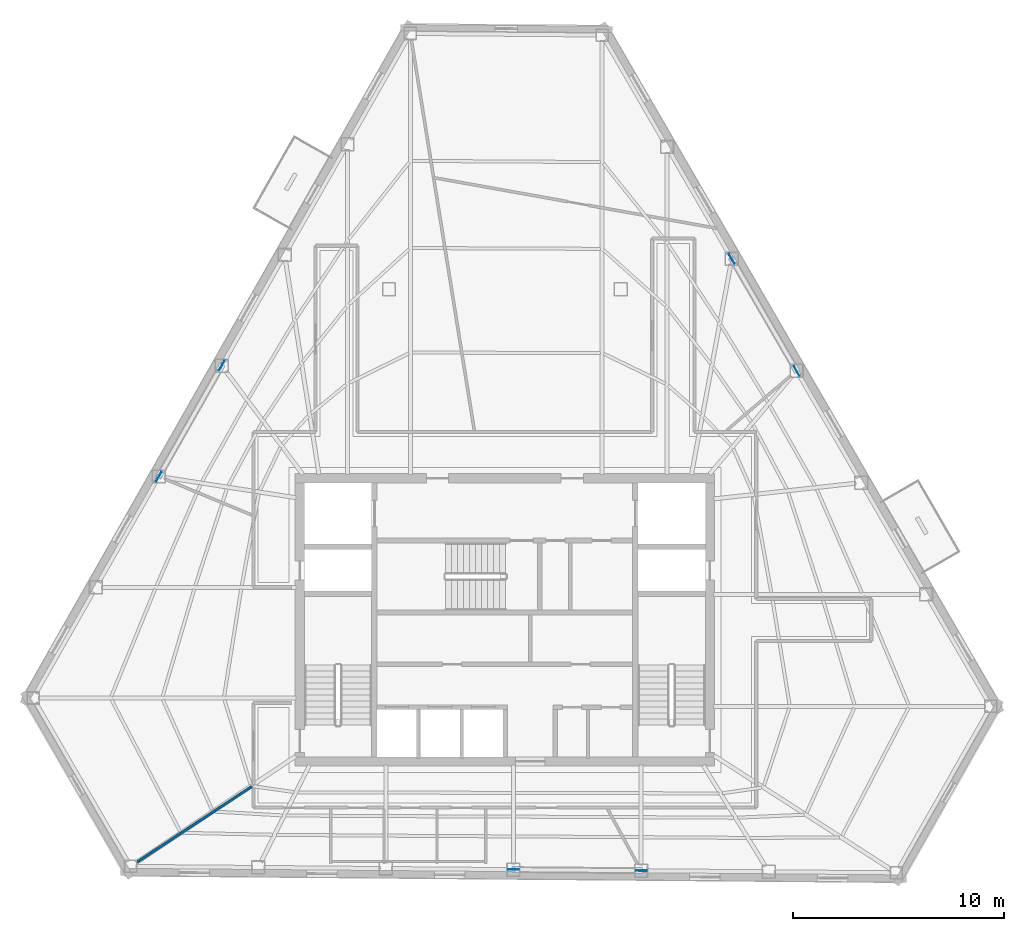
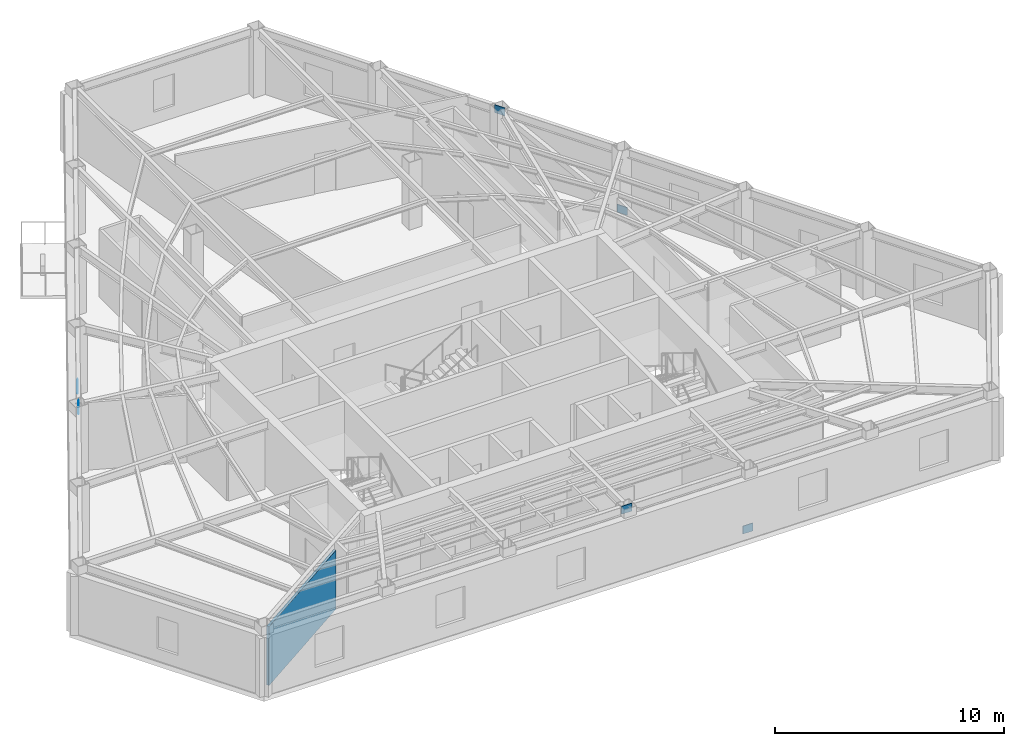
# One storey, part 4 of 9: 6 plates, 1 wall.
"""IFC4 building model written with IfcOpenShell, lengths in metres."""

import ifcopenshell
import ifcopenshell.guid

model = None  # the IFC model being written
_history = None  # IfcOwnerHistory: only IFC2X3 demands one
_inside = {}  # id of a spatial element -> (the spatial element, [elements in it])
_under = {}  # id of a project, library or spatial element -> (it, [spatial elements below it])
_declared = {}  # id of a project -> (the project, [libraries it declares])
_typed = {}  # id of a type object -> (the type object, [elements of that type])
_made_of = {}  # id of a material, layer set ... -> (it, [elements and type objects made of it])


def new_model(schema):
    """Start an empty IFC model of exactly this schema.

    Asked for "IFC4X3", IfcOpenShell would pick the latest addendum, in which some entities
    have other attributes; the version numbers below select the first issue.
    IFC2X3 requires an IfcOwnerHistory on every rooted entity: one is made here for all.
    """
    global model, _history
    if schema == "IFC4X3":
        model = ifcopenshell.file(schema_version=(4, 3, 0, 0))
    else:
        model = ifcopenshell.file(schema=schema)
    _inside.clear()
    _under.clear()
    _declared.clear()
    _typed.clear()
    _made_of.clear()
    _history = None
    if model.schema == "IFC2X3":
        org = make("IfcOrganization", Name="unknown")
        user = make(
            "IfcPersonAndOrganization",
            ThePerson=make("IfcPerson", FamilyName="unknown"),
            TheOrganization=org,
        )
        app = make(
            "IfcApplication",
            ApplicationDeveloper=org,
            Version="unknown",
            ApplicationFullName="unknown",
            ApplicationIdentifier="unknown",
        )
        _history = make(
            "IfcOwnerHistory",
            OwningUser=user,
            OwningApplication=app,
            ChangeAction="ADDED",
            CreationDate=0,
        )
    return model


def make(cls, **values):
    """One entity of the class cls with the attributes given. An attribute that is None is left unset."""
    return model.create_entity(
        cls, **{name: value for name, value in values.items() if value is not None}
    )


def rooted(cls, **values):
    """An entity with a GlobalId (a new one), such as an element, a storey or a relation."""
    return make(cls, GlobalId=ifcopenshell.guid.new(), OwnerHistory=_history, **values)


def si_unit(unit_type, name, prefix=None):
    """IfcSIUnit, for example si_unit("LENGTHUNIT", "METRE", prefix="MILLI")."""
    return make("IfcSIUnit", UnitType=unit_type, Prefix=prefix, Name=name)


def assignment(units):
    """IfcUnitAssignment: the units of a project."""
    return None if units is None else make("IfcUnitAssignment", Units=units)


def point(xyz):
    """IfcCartesianPoint."""
    return None if xyz is None else make("IfcCartesianPoint", Coordinates=xyz)


def direction(xyz):
    """IfcDirection."""
    return None if xyz is None else make("IfcDirection", DirectionRatios=xyz)


def frame(location, z_axis=None, x_axis=None):
    """IfcAxis2Placement3D, a coordinate frame: its origin and axes. An axis left out is left unset."""
    return make(
        "IfcAxis2Placement3D",
        Location=point(location),
        Axis=direction(z_axis),
        RefDirection=direction(x_axis),
    )


def frame_2d(location, x_axis=None):
    """IfcAxis2Placement2D, a coordinate frame in the plane: its origin and x axis."""
    return make(
        "IfcAxis2Placement2D", Location=point(location), RefDirection=direction(x_axis)
    )


def origin():
    """The frame at (0, 0, 0) with its axes left unset."""
    return frame((0.0, 0.0, 0.0))


def origin_2d():
    """The frame at (0, 0) in the plane with its x axis left unset."""
    return frame_2d((0.0, 0.0))


def place(relative_to, where):
    """IfcLocalPlacement: puts the frame where relative to a parent placement (None: the world)."""
    return make(
        "IfcLocalPlacement", PlacementRelTo=relative_to, RelativePlacement=where
    )


def context(
    kind, dimensions, precision=None, world=None, true_north=None, identifier=None
):
    """IfcGeometricRepresentationContext, for example the 3D "Model" context."""
    return make(
        "IfcGeometricRepresentationContext",
        ContextIdentifier=identifier,
        ContextType=kind,
        CoordinateSpaceDimension=dimensions,
        Precision=precision,
        WorldCoordinateSystem=world,
        TrueNorth=true_north,
    )


def subcontext(parent, identifier, kind, view, scale=None):
    """IfcGeometricRepresentationSubContext, for example "Body" below "Model"."""
    return make(
        "IfcGeometricRepresentationSubContext",
        ContextIdentifier=identifier,
        ContextType=kind,
        ParentContext=parent,
        TargetScale=scale,
        TargetView=view,
    )


def project(units=None, contexts=None):
    """IfcProject with its units and contexts."""
    return rooted(
        "IfcProject",
        Name="project",
        RepresentationContexts=contexts,
        UnitsInContext=assignment(units),
    )


def spatial(cls, under=None, at=None, **own):
    """A site, building, storey or space (cls), placed at a placement, below another one or the project."""
    s = rooted(cls, ObjectPlacement=at, **own)
    if under is not None:
        _under.setdefault(under.id(), (under, []))[1].append(s)
    return s


def profile(cls, at=None, kind="AREA", **sizes):
    """A parametric profile (cls). Its sizes go by their IFC names, for example OverallWidth=200.0."""
    return make(cls, ProfileType=kind, Position=at, **sizes)


def rectangle(**sizes):
    """IfcRectangleProfileDef."""
    return profile("IfcRectangleProfileDef", **sizes)


def extrude(swept, where, along, depth):
    """IfcExtrudedAreaSolid: the profile swept, set in the frame where, extruded along a direction by depth."""
    return make(
        "IfcExtrudedAreaSolid",
        SweptArea=swept,
        Position=where,
        ExtrudedDirection=direction(along),
        Depth=depth,
    )


def shape(context_of_items, identifier, shape_type, items):
    """IfcShapeRepresentation: the items that make up one representation, for example the "Body"."""
    return make(
        "IfcShapeRepresentation",
        ContextOfItems=context_of_items,
        RepresentationIdentifier=identifier,
        RepresentationType=shape_type,
        Items=items,
    )


def material(Name=None, Category=None):
    """IfcMaterial."""
    return make("IfcMaterial", Name=Name, Category=Category)


def layer(
    of_material, thickness, ventilated=None, Name=None, Category=None, Priority=None
):
    """IfcMaterialLayer: one layer of a wall or slab, of a material (None: an air gap)."""
    return make(
        "IfcMaterialLayer",
        Material=of_material,
        LayerThickness=thickness,
        IsVentilated=ventilated,
        Name=Name,
        Category=Category,
        Priority=Priority,
    )


def layer_set(layers, Name=None):
    """IfcMaterialLayerSet."""
    return make("IfcMaterialLayerSet", MaterialLayers=layers, LayerSetName=Name)


def made_of(thing, what):
    """Note that an element or type object is made of a material, layer set ...; save() writes the relation."""
    if what is not None:
        _made_of.setdefault(what.id(), (what, []))[1].append(thing)
    return thing


def type_object(cls, material=None, **own):
    """A type object (cls), such as IfcWallType, which elements share."""
    return made_of(rooted(cls, **own), material)


def element(
    cls,
    number,
    at=None,
    inside=None,
    cuts=None,
    type_object=None,
    material=None,
    context=None,
    identifier="Body",
    shape_type=None,
    held_by="IfcProductDefinitionShape",
    body=None,
    shapes=None,
    **own,
):
    """One element of the class cls, such as IfcWall. Its Tag is "e" and its number.

    at: its placement. inside: the storey or other place that contains it. cuts: it is an
    opening in that element (IfcRelVoidsElement). A single representation is given by context,
    identifier, shape_type and body (its items); several are given by shapes. held_by: the class
    of the entity that holds the representations. save() writes the other relations.
    """
    e = rooted(cls, Tag="e%d" % number, ObjectPlacement=at, **own)
    if body is not None:
        shapes = [shape(context, identifier, shape_type, body)]
    if shapes is not None:
        e.Representation = make(held_by, Representations=shapes)
    if inside is not None:
        _inside.setdefault(inside.id(), (inside, []))[1].append(e)
    if cuts is not None:
        rooted(
            "IfcRelVoidsElement", RelatingBuildingElement=cuts, RelatedOpeningElement=e
        )
    if type_object is not None:
        _typed.setdefault(type_object.id(), (type_object, []))[1].append(e)
    return made_of(e, material)


def aggregate(whole, parts):
    """IfcRelAggregates: a whole, such as a stair, and the parts it consists of."""
    return rooted("IfcRelAggregates", RelatingObject=whole, RelatedObjects=parts)


def save(model, path):
    """Write the relations noted so far, then the file.

    IfcRelAggregates (storeys below a building ...), IfcRelContainedInSpatialStructure (elements
    in a storey), IfcRelDefinesByType, IfcRelAssociatesMaterial and IfcRelDeclares: one each for
    every whole, place, type object, material and project.
    """
    for whole, parts in _under.values():
        aggregate(whole, parts)
    for where, things in _inside.values():
        rooted(
            "IfcRelContainedInSpatialStructure",
            RelatedElements=things,
            RelatingStructure=where,
        )
    for kind, things in _typed.values():
        rooted("IfcRelDefinesByType", RelatedObjects=things, RelatingType=kind)
    for what, things in _made_of.values():
        rooted("IfcRelAssociatesMaterial", RelatedObjects=things, RelatingMaterial=what)
    for by, libraries in _declared.values():
        rooted("IfcRelDeclares", RelatingContext=by, RelatedDefinitions=libraries)
    model.write(path)


model = new_model("IFC4")

# Units and contexts
model_context = context("Model", 3, precision=1e-05, world=origin(), true_north=direction((0.0, 1.0)))
body_context = subcontext(model_context, "Body", "Model", "MODEL_VIEW")
ifc_project = project(units=[si_unit("LENGTHUNIT", "METRE"), si_unit("AREAUNIT", "SQUARE_METRE"), si_unit("VOLUMEUNIT", "CUBIC_METRE"), si_unit("PLANEANGLEUNIT", "RADIAN"), si_unit("MASSUNIT", "GRAM", prefix="KILO")], contexts=[model_context])

# Site, building, storey
site_placement = place(None, origin())
site = spatial("IfcSite", under=ifc_project, at=site_placement, CompositionType="ELEMENT")
building_placement = place(site_placement, origin())
building = spatial("IfcBuilding", under=site, at=building_placement, Name="Kavelnor Concourse Tower", CompositionType="ELEMENT")
storey_placement = place(building_placement, frame((0.0, 0.0, 176.550048828125)))
storey = spatial("IfcBuildingStorey", under=building, at=storey_placement, Name="L44", CompositionType="ELEMENT", Elevation=176.550048828125)

# Plates
ifc_material_1 = material(Name="Steel Grade 350", Category="steel")
ifc_layer_1 = layer(ifc_material_1, 0.031982421875, Name="Steel Grade 350")
ifc_layer_set_1 = layer_set([ifc_layer_1], Name="Steel Grade 350")
plate_type = type_object("IfcPlateType", Name="PL-GUSSET-TUBE-Z1", PredefinedType="USERDEFINED", material=ifc_layer_set_1)
for number, where, z_axis, x_axis, name in (
    (1, (24.5634765625, 28.177978515625, 0.010009765625), (0.0, 0.0, 1.0), (-0.493790103568, -0.86958112538, 0.0), "L44 Tube Brace Gusset GP3 F0-B3 End Gusset A"),
    (2, (21.565673828125, 22.89794921875, 3.159912109375), (0.0, 0.0, 1.0), (-0.493790103568, -0.86958112538, 0.0), "L44 Tube Brace Gusset GP3 F0-B3 End Gusset B"),
    (3, (44.48291015625, 4.18994140625, 0.010009765625), (0.0, 0.0, 1.0), (-0.999964908278, 0.008377482415, 0.0), "L44 Tube Brace Gusset GP3 F1-B3 End Gusset A"),
    (4, (38.398193359375, 4.2412109375, 3.159912109375), (0.0, 0.0, 1.0), (-0.999964908278, 0.008377482415, 0.0), "L44 Tube Brace Gusset GP3 F1-B3 End Gusset B"),
    (5, (51.85888671875, 27.920654296875, 0.010009765625), (0.0, 0.0, 1.0), (-0.50105767621, 0.865413892373, 0.0), "L44 Tube Brace Gusset GP3 F2-B3 End Gusset A"),
    (6, (48.77099609375, 33.254150390625, 3.159912109375), (0.0, 0.0, 1.0), (-0.50105767621, 0.865413892373, 0.0), "L44 Tube Brace Gusset GP3 F2-B3 End Gusset B"),
):
    element("IfcPlate", number, at=place(storey_placement, frame(where, z_axis=z_axis, x_axis=x_axis)), inside=storey, type_object=plate_type, Name=name, ObjectType="GUSSET_PLATE", PredefinedType="USERDEFINED", context=body_context, shape_type="SweptSolid", body=[
        extrude(rectangle(XDim=0.52001953125, YDim=0.031982421875, at=origin_2d()), origin(), (0.0, 0.0, 1.0), 0.419921875),
    ])

# Wall
ifc_material_2 = material(Name="Gypsum plasterboard on light-gauge steel studs", Category="steel")
ifc_layer_2 = layer(ifc_material_2, 0.125, Name="Gypsum plasterboard on light-gauge steel studs")
ifc_layer_set_2 = layer_set([ifc_layer_2], Name="Gypsum plasterboard on light-gauge steel studs")
wall_type = type_object("IfcWallType", Name="WL-INT-SUITE-125", PredefinedType="PARTITIONING", material=ifc_layer_set_2)
wall_placement = place(storey_placement, frame((25.9794921875, 8.182373046875, 0.0), z_axis=(0.0, 0.0, 1.0), x_axis=(-0.835114630122, -0.550075953443, 0.0)))
element("IfcWall", 7, at=wall_placement, inside=storey, type_object=wall_type, Name="L44 Radial Suite Partition 04", PredefinedType="PARTITIONING", context=body_context, shape_type="SweptSolid", body=[
    extrude(rectangle(XDim=6.51806640625, YDim=0.125, at=frame_2d((3.259033203125, 0.0))), origin(), (0.0, 0.0, 1.0), 3.140869140625),
])

save(model, "model.ifc")
